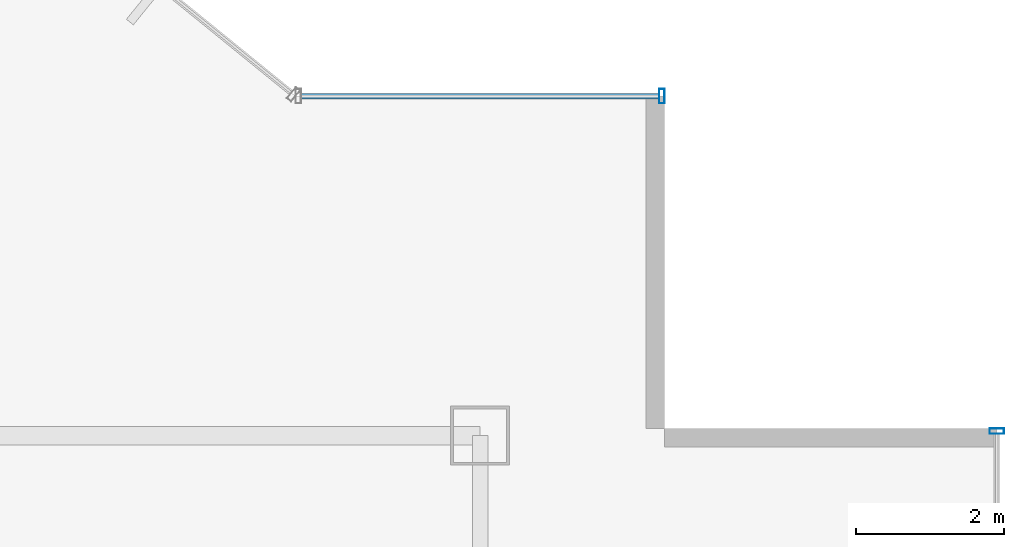
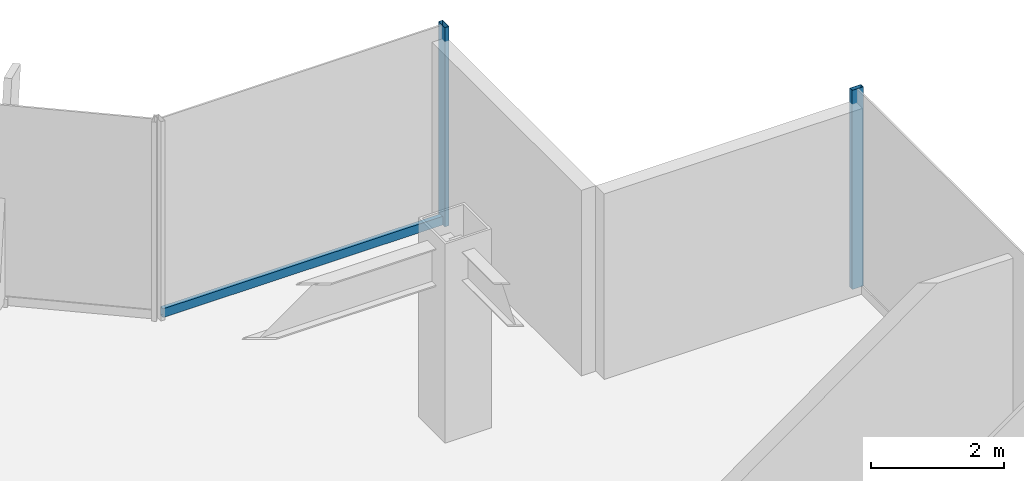
# One storey, part 19 of 26: 3 members, 2 elements without a shape of their own.
"""IFC4 building model written with IfcOpenShell, lengths in metres."""

from ifc_helpers import new_model, si_unit, derived_unit, direction, frame, origin, origin_2d, place, context, subcontext, project, spatial, hollow_rectangle, extrude, source, transform, mapped, material, material_profile, profile_set, type_object, element, aggregate, save


model = new_model("IFC4")

# Units and contexts
model_context = context("Model", 3, precision=1e-05, world=origin(), true_north=direction((0.0, 1.0)))
body_context = subcontext(model_context, "Body", "Model", "MODEL_VIEW")
ifc_project = project(units=[si_unit("LENGTHUNIT", "METRE"), si_unit("AREAUNIT", "SQUARE_METRE"), si_unit("VOLUMEUNIT", "CUBIC_METRE"), si_unit("PLANEANGLEUNIT", "RADIAN"), si_unit("MASSUNIT", "GRAM", prefix="KILO"), derived_unit("THERMALTRANSMITTANCEUNIT", [(si_unit("POWERUNIT", "WATT"), 1), (si_unit("LENGTHUNIT", "METRE"), -2), (si_unit("THERMODYNAMICTEMPERATUREUNIT", "KELVIN"), -1)])], contexts=[model_context])

# Site, building, storey
site_placement = place(None, origin())
site = spatial("IfcSite", under=ifc_project, at=site_placement, CompositionType="ELEMENT")
building_placement = place(site_placement, origin())
building = spatial("IfcBuilding", under=site, at=building_placement, Name="Skarnbrae Concourse Arena and Tower", CompositionType="ELEMENT")
storey_placement = place(building_placement, frame((0.0, 0.0, 103.25)))
storey = spatial("IfcBuildingStorey", under=building, at=storey_placement, Name="L25", CompositionType="ELEMENT", Elevation=103.25)

# Curtain wall, member
ifc_material = material(Name="Bronze anodised aluminium 6063-T6", Category="aluminium")
curtain_wall_type = type_object("IfcCurtainWallType", Name="CW-SYS-04-MIDZONE", PredefinedType="USERDEFINED", material=ifc_material)
curtain_wall_1_placement = place(storey_placement, origin())
curtain_wall_1 = element("IfcCurtainWall", 1, at=curtain_wall_1_placement, inside=storey, type_object=curtain_wall_type, Name="L25 Unitised curtain wall CW-L25-E07", ObjectType="UNITISED CURTAIN WALL", PredefinedType="USERDEFINED")
ifc_material_profile_1 = material_profile(ifc_material, hollow_rectangle(XDim=0.074951171875, YDim=0.159912109375, WallThickness=0.00439453125, at=origin_2d()), Name="ALU-TRAN-75X160")
ifc_profile_set_1 = profile_set([ifc_material_profile_1], Name="Bronze anodised aluminium 6063-T6")
member_type_1 = type_object("IfcMemberType", Name="CWT-CW-04", PredefinedType="USERDEFINED", material=ifc_profile_set_1)
shared_shape_1 = source(origin(), body_context, "Body", "SweptSolid", [
    extrude(hollow_rectangle(XDim=0.074951171875, YDim=0.159912109375, WallThickness=0.00439453125, at=origin_2d()), origin(), (0.0, 0.0, 1.0), 4.85009765625),
])
member_1_placement = place(storey_placement, frame((51.425048828125, 39.0, 0.080078125), z_axis=(-1.0, 0.0, 0.0), x_axis=(0.0, -1.0, 0.0)))
member_1 = element("IfcMember", 2, at=member_1_placement, type_object=member_type_1, Name="CW-L25-E07 Transom 1", ObjectType="TRANSOM", PredefinedType="USERDEFINED", context=body_context, shape_type="MappedRepresentation", body=[
    mapped(shared_shape_1, transform((0.0, 0.0, 0.0))),
])

curtain_wall_2_placement = place(storey_placement, origin())
curtain_wall_2 = element("IfcCurtainWall", 3, at=curtain_wall_2_placement, inside=storey, type_object=curtain_wall_type, Name="L25 Unitised curtain wall CW-L25-E04", ObjectType="UNITISED CURTAIN WALL", PredefinedType="USERDEFINED")
ifc_material_profile_2 = material_profile(ifc_material, hollow_rectangle(XDim=0.074951171875, YDim=0.195068359375, WallThickness=0.00439453125, at=origin_2d()), Name="ALU-MULL-75X195")
ifc_profile_set_2 = profile_set([ifc_material_profile_2], Name="Bronze anodised aluminium 6063-T6")
member_type_2 = type_object("IfcMemberType", Name="CWM-CW-04", PredefinedType="MULLION", material=ifc_profile_set_2)
shared_shape_2 = source(origin(), body_context, "Body", "SweptSolid", [
    extrude(hollow_rectangle(XDim=0.074951171875, YDim=0.195068359375, WallThickness=0.00439453125, at=origin_2d()), origin(), (0.0, 0.0, 1.0), 3.64990234375),
])
member_2_placement = place(storey_placement, frame((56.0, 34.46240234375, 0.0), z_axis=(0.0, 0.0, 1.0), x_axis=(0.0, 1.0, 0.0)))
member_2 = element("IfcMember", 4, at=member_2_placement, type_object=member_type_2, Name="CW-L25-E04 Mullion 5", PredefinedType="MULLION", context=body_context, shape_type="MappedRepresentation", body=[
    mapped(shared_shape_2, transform((0.0, 0.0, 0.0))),
])
aggregate(curtain_wall_2, [member_2])

# Member
member_3_placement = place(storey_placement, frame((51.46240234375, 39.0, 0.0), z_axis=(0.0, 0.0, 1.0), x_axis=(-1.0, 0.0, 0.0)))
member_3 = element("IfcMember", 5, at=member_3_placement, type_object=member_type_2, Name="CW-L25-E07 Mullion 1", PredefinedType="MULLION", context=body_context, shape_type="MappedRepresentation", body=[
    mapped(shared_shape_2, transform((0.0, 0.0, 0.0))),
])

aggregate(curtain_wall_1, [member_3, member_1])

save(model, "model.ifc")
